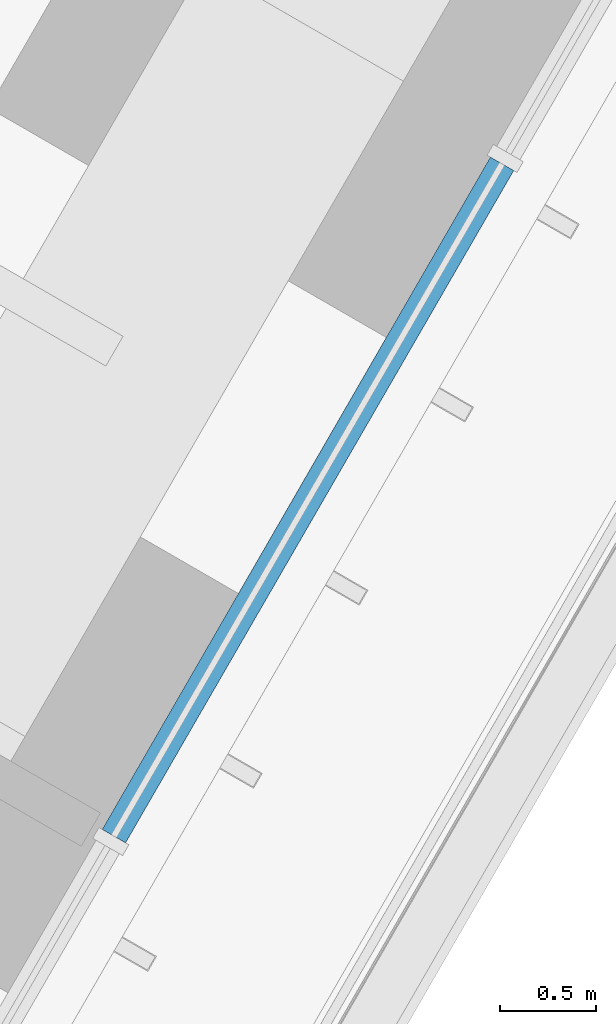
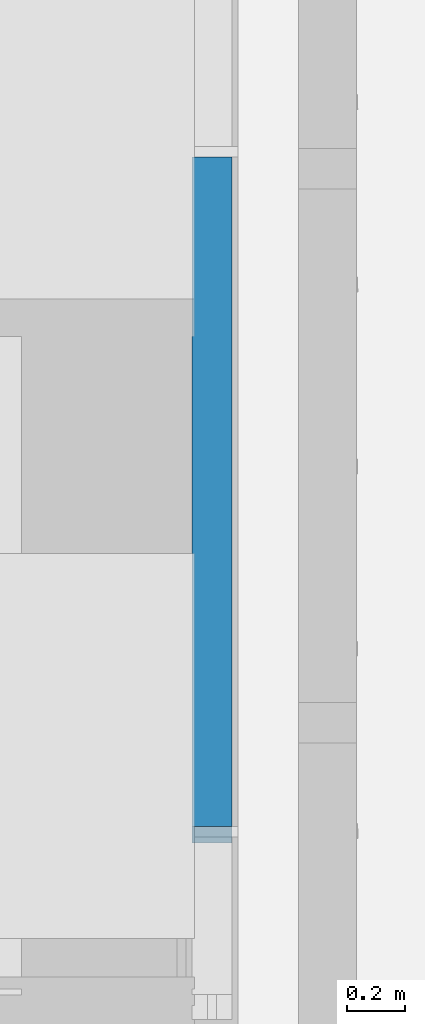
# One storey, part 87 of 238: 1 member, 1 element without a shape of its own.
"""IFC4 building model written with IfcOpenShell, lengths in metres."""

from ifc_helpers import new_model, si_unit, direction, frame, origin, origin_2d, place, context, subcontext, project, spatial, rectangle, extrude, material, material_profile, profile_set, type_object, element, aggregate, save


model = new_model("IFC4")

# Units and contexts
model_context = context("Model", 3, precision=1e-05, world=origin(), true_north=direction((0.0, 1.0)))
body_context = subcontext(model_context, "Body", "Model", "MODEL_VIEW")
ifc_project = project(units=[si_unit("LENGTHUNIT", "METRE"), si_unit("AREAUNIT", "SQUARE_METRE"), si_unit("VOLUMEUNIT", "CUBIC_METRE"), si_unit("PLANEANGLEUNIT", "RADIAN"), si_unit("MASSUNIT", "GRAM", prefix="KILO")], contexts=[model_context])

# Site, building, storey
site_placement = place(None, origin())
site = spatial("IfcSite", under=ifc_project, at=site_placement, CompositionType="ELEMENT")
building_placement = place(site_placement, origin())
building = spatial("IfcBuilding", under=site, at=building_placement, Name="Sandreach Pilgrim Tower", CompositionType="ELEMENT")
storey_placement = place(building_placement, frame((0.0, 0.0, 96.800048828125)))
storey = spatial("IfcBuildingStorey", under=building, at=storey_placement, Name="L23", CompositionType="ELEMENT", Elevation=96.800048828125)

# Curtain wall, member
ifc_material_1 = material(Name="Aluminium framed curtain wall", Category="aluminium")
curtain_wall_type = type_object("IfcCurtainWallType", Name="Hotel tower curtain wall", PredefinedType="NOTDEFINED", material=ifc_material_1)
curtain_wall_placement = place(storey_placement, origin())
curtain_wall = element("IfcCurtainWall", 1, at=curtain_wall_placement, inside=storey, type_object=curtain_wall_type, Name="CW-2 L23 SE", PredefinedType="NOTDEFINED")
ifc_material_2 = material(Name="Aluminium extrusion", Category="aluminium")
ifc_material_profile = material_profile(ifc_material_2, rectangle(XDim=0.139892578125, YDim=0.070068359375, at=origin_2d()), Name="CW-2T 140X70")
ifc_profile_set = profile_set([ifc_material_profile], Name="Aluminium extrusion")
member_type = type_object("IfcMemberType", Name="CW-2 transom", PredefinedType="USERDEFINED", material=ifc_profile_set)
member_placement = place(storey_placement, frame((18.437255859375, -13.053466796875, 3.60498046875), z_axis=(-0.499997818338, -0.866026663364, 0.0), x_axis=(0.866026663364, -0.499997818338, 0.0)))
member = element("IfcMember", 2, at=member_placement, type_object=member_type, Name="CW-2 head transom 6", ObjectType="TRANSOM", PredefinedType="USERDEFINED", context=body_context, shape_type="SweptSolid", body=[
    extrude(rectangle(XDim=0.139892578125, YDim=0.070068359375, at=origin_2d()), origin(), (0.0, 0.0, 1.0), 4.0419921875),
])
aggregate(curtain_wall, [member])

save(model, "model.ifc")
